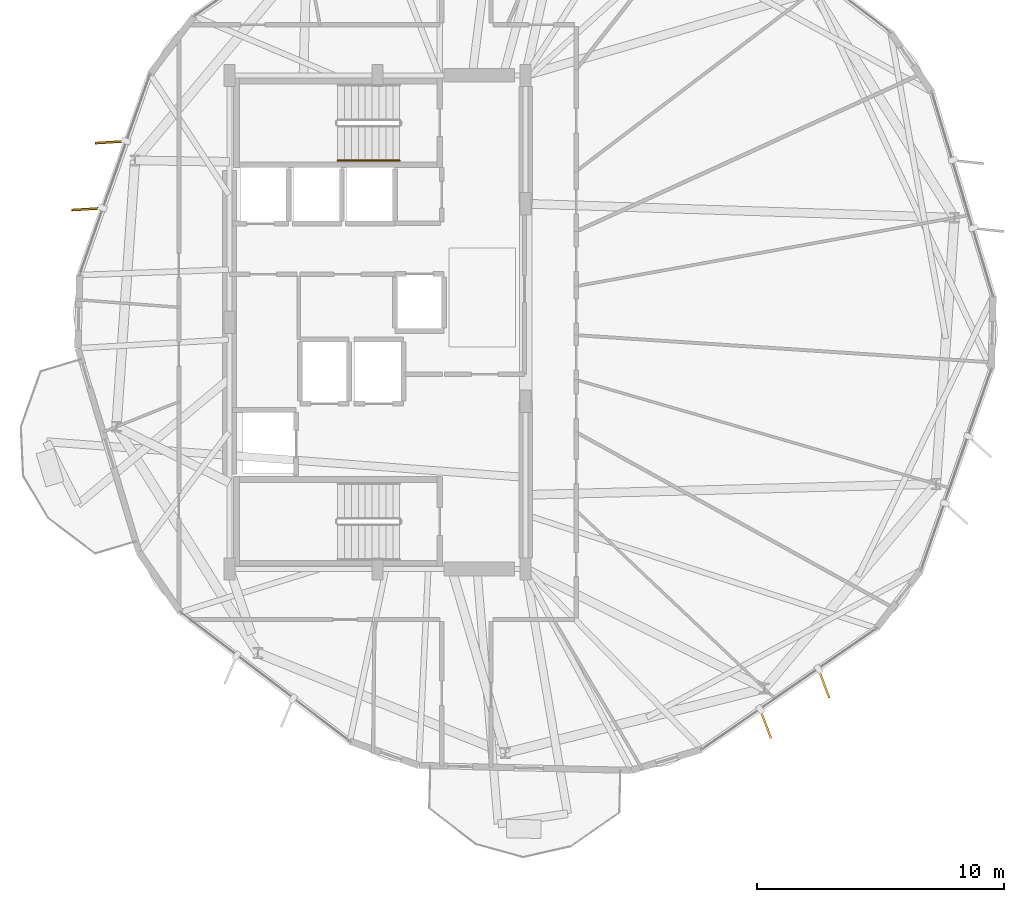
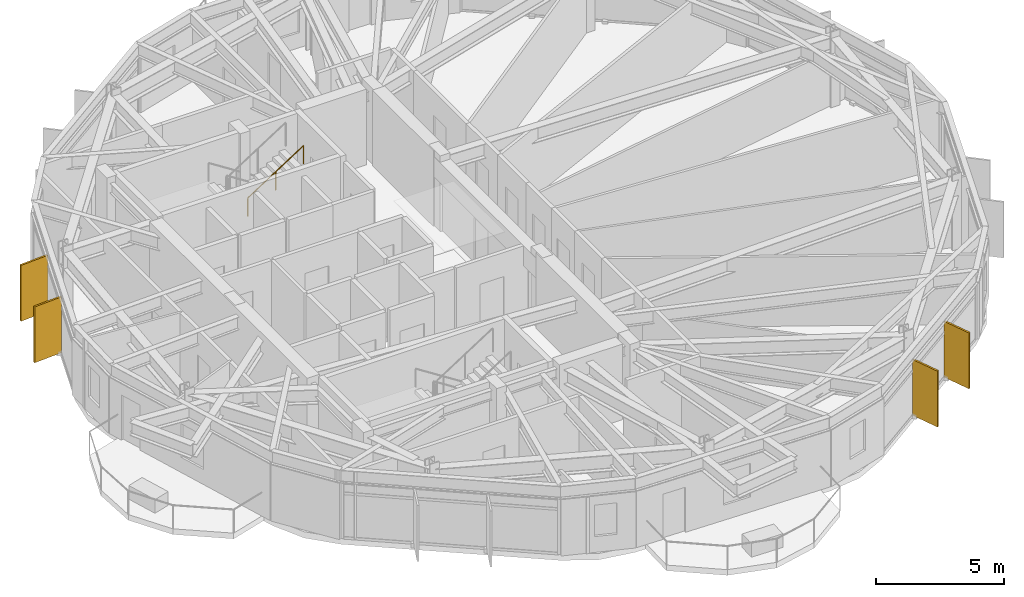
# One storey, part 20 of 22: 4 shading devices, 1 railing.
"""IFC4 building model written with IfcOpenShell, lengths in metres."""

from ifc_helpers import new_model, si_unit, direction, frame, origin, origin_2d, place, context, subcontext, project, spatial, rectangle, circle, extrude, material, layer, layer_set, type_object, element, save


model = new_model("IFC4")

# Units and contexts
model_context = context("Model", 3, precision=1e-05, world=origin(), true_north=direction((0.0, 1.0)))
body_context = subcontext(model_context, "Body", "Model", "MODEL_VIEW")
ifc_project = project(units=[si_unit("LENGTHUNIT", "METRE"), si_unit("AREAUNIT", "SQUARE_METRE"), si_unit("VOLUMEUNIT", "CUBIC_METRE"), si_unit("PLANEANGLEUNIT", "RADIAN"), si_unit("MASSUNIT", "GRAM", prefix="KILO")], contexts=[model_context])

# Site, building, storey
site_placement = place(None, origin())
site = spatial("IfcSite", under=ifc_project, at=site_placement, CompositionType="ELEMENT")
building_placement = place(site_placement, origin())
building = spatial("IfcBuilding", under=site, at=building_placement, Name="Soratama Intermodal Tower", CompositionType="ELEMENT")
storey_placement = place(building_placement, frame((0.0, 0.0, 160.60009765625)))
storey = spatial("IfcBuildingStorey", under=building, at=storey_placement, Name="L39", CompositionType="ELEMENT", Elevation=160.60009765625)

# Railing
ifc_material_1 = material(Name="Brushed stainless steel handrail", Category="steel")
railing_type = type_object("IfcRailingType", Name="RL-STAIR-HAND", PredefinedType="HANDRAIL", material=ifc_material_1)
railing_placement = place(storey_placement, frame((36.97998046875, 31.550048828125, 1.97998046875)))
element("IfcRailing", 1, at=railing_placement, inside=storey, type_object=railing_type, Name="L39 ST-2 stair handrail 2", PredefinedType="HANDRAIL", context=body_context, shape_type="SweptSolid", body=[
    extrude(circle(Radius=0.02392578125, at=origin_2d()), frame((0.0, 0.0, 0.8759765625), z_axis=(0.841199657755, 0.0, 0.540724639528), x_axis=(0.0, 1.0, 0.0)), (0.0, 0.0, 1.0), 2.995849609375),
    extrude(circle(Radius=0.02099609375, at=origin_2d()), origin(), (0.0, 0.0, 1.0), 0.851806640625),
    extrude(circle(Radius=0.02099609375, at=origin_2d()), frame((1.260009765625, 0.0, 0.81005859375)), (0.0, 0.0, 1.0), 0.851806640625),
    extrude(circle(Radius=0.02099609375, at=origin_2d()), frame((2.52001953125, 0.0, 1.619873046875)), (0.0, 0.0, 1.0), 0.851806640625),
])

# Shading devices
ifc_material_2 = material(Name="Champagne anodised aluminium solar fin", Category="aluminium")
ifc_layer = layer(ifc_material_2, 0.080078125)
ifc_layer_set = layer_set([ifc_layer], Name="Champagne anodised aluminium solar fin")
shading_device_type = type_object("IfcShadingDeviceType", Name="SH-FIN-1250", PredefinedType="USERDEFINED", material=ifc_layer_set)
for number, where, z_axis, x_axis, name in (
    (2, (27.781982421875, 32.2939453125, 0.02001953125), (0.0, 0.0, 1.0), (-0.998124128239, -0.06122274599, 0.0), "L39 Solar Fin F04-1"),
    (3, (26.8310546875, 29.581787109375, 0.02001953125), (0.0, 0.0, 1.0), (-0.998124128239, -0.06122274599, 0.0), "L39 Solar Fin F04-2"),
    (4, (54.324951171875, 8.72119140625, 0.02001953125), (0.0, 0.0, 1.0), (0.351351480571, -0.936243631274, 0.0), "L39 Solar Fin F08-1"),
    (5, (56.688232421875, 10.356201171875, 0.02001953125), (0.0, 0.0, 1.0), (0.351351480571, -0.936243631274, 0.0), "L39 Solar Fin F08-2"),
):
    element("IfcShadingDevice", number, at=place(storey_placement, frame(where, z_axis=z_axis, x_axis=x_axis)), inside=storey, type_object=shading_device_type, Name=name, ObjectType="FIN", PredefinedType="USERDEFINED", context=body_context, shape_type="SweptSolid", body=[
        extrude(rectangle(XDim=1.25, YDim=0.080078125, at=origin_2d()), origin(), (0.0, 0.0, 1.0), 2.658935546875),
    ])

save(model, "model.ifc")
